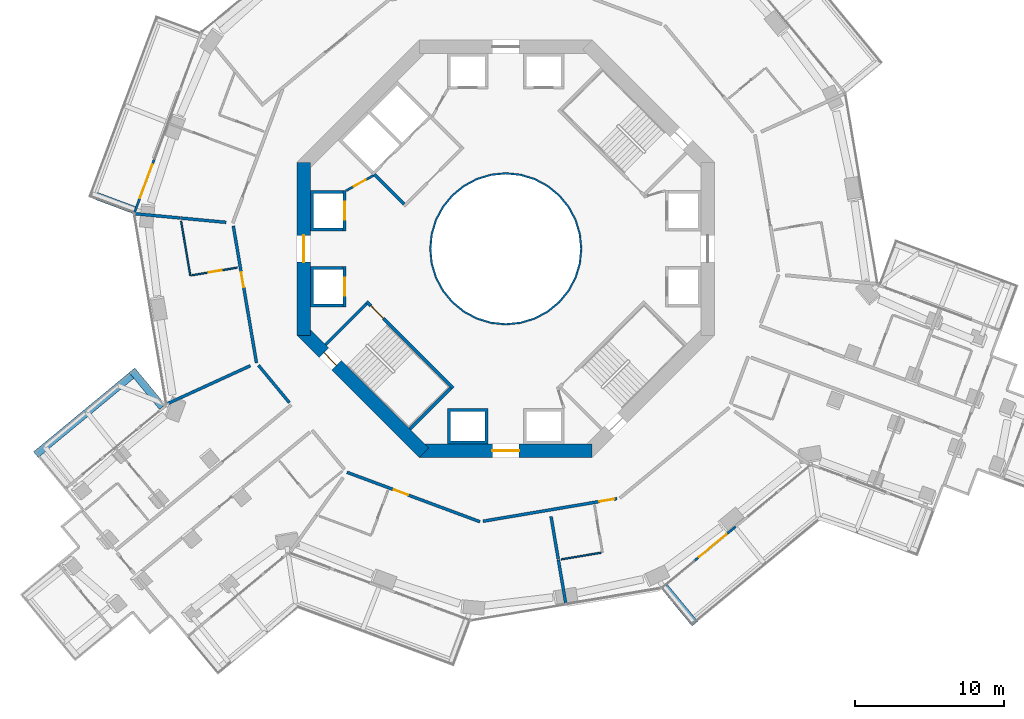
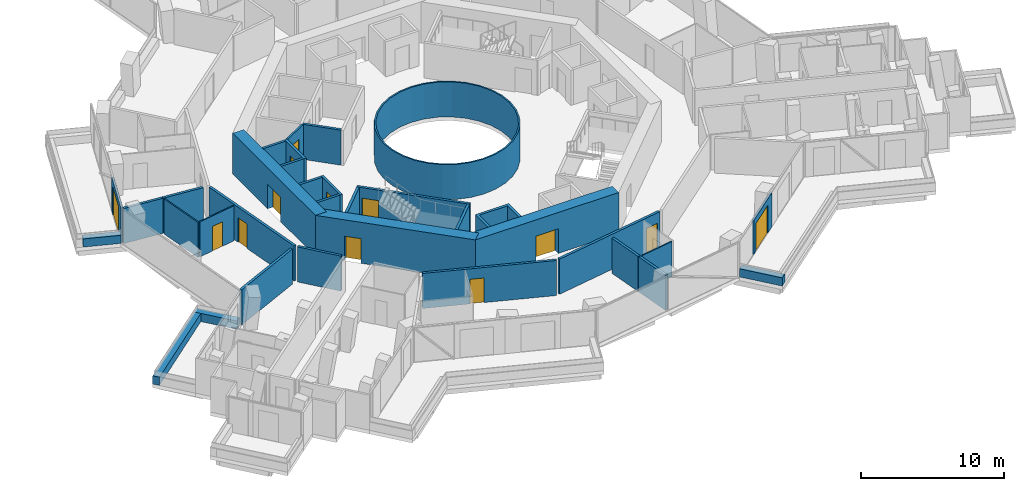
# One storey, part 20 of 27: 32 walls, 13 doors, 13 openings.
"""IFC4 building model written with IfcOpenShell, lengths in metres."""

from ifc_helpers import new_model, si_unit, direction, frame, frame_2d, origin, place, context, subcontext, project, spatial, polyline, rectangle, outline, extrude, material, layer, layer_set, type_object, element, fill, save


model = new_model("IFC4")

# Units and contexts
model_context = context("Model", 3, precision=1e-05, world=origin(), true_north=direction((0.0, 1.0)))
body_context = subcontext(model_context, "Body", "Model", "MODEL_VIEW")
ifc_project = project(units=[si_unit("LENGTHUNIT", "METRE"), si_unit("AREAUNIT", "SQUARE_METRE"), si_unit("VOLUMEUNIT", "CUBIC_METRE"), si_unit("PLANEANGLEUNIT", "RADIAN"), si_unit("MASSUNIT", "GRAM", prefix="KILO")], contexts=[model_context])

# Site, building, storey
site_placement = place(None, origin())
site = spatial("IfcSite", under=ifc_project, at=site_placement, CompositionType="ELEMENT")
building_placement = place(site_placement, origin())
building = spatial("IfcBuilding", under=site, at=building_placement, Name="Verdalira Terraces Hotel", CompositionType="ELEMENT")
storey_placement = place(building_placement, frame((0.0, 0.0, 71.5)))
storey = spatial("IfcBuildingStorey", under=building, at=storey_placement, Name="L16", CompositionType="ELEMENT", Elevation=71.5)

# Walls
ifc_material_1 = material(Name="Fire-resisting glass EI 180", Category="glass")
ifc_layer_1 = layer(ifc_material_1, 0.1201171875)
ifc_layer_set_1 = layer_set([ifc_layer_1], Name="Atrium fire screen 120 mm")
wall_type_1 = type_object("IfcWallType", Name="Atrium fire screen 120 mm", PredefinedType="SOLIDWALL", material=ifc_layer_set_1)
wall_1_placement = place(storey_placement, origin())
element("IfcWall", 1, at=wall_1_placement, inside=storey, type_object=wall_type_1, Name="Atrium fire screen", PredefinedType="SOLIDWALL", context=body_context, shape_type="SweptSolid", body=[
    extrude(outline(polyline([(5.021484, -0.998779), (4.730225, -1.959229), (4.25708, -2.844482), (3.620361, -3.620361), (2.844482, -4.25708), (1.959229, -4.730225), (0.998779, -5.021484), (0.0, -5.120117), (-0.998779, -5.021484), (-1.959229, -4.730225), (-2.844482, -4.25708), (-3.620361, -3.620361), (-4.25708, -2.844482), (-4.730225, -1.959229), (-5.021484, -0.998779), (-5.120117, 0.0), (-5.021484, 0.998779), (-4.730225, 1.959229), (-4.25708, 2.844482), (-3.620361, 3.620361), (-2.844482, 4.25708), (-1.959229, 4.730225), (-0.998779, 5.021484), (0.0, 5.120117), (0.998779, 5.021484), (1.959229, 4.730225), (2.844482, 4.25708), (3.620361, 3.620361), (4.25708, 2.844482), (4.730225, 1.959229), (5.021484, 0.998779), (5.120117, 0.0), (5.021484, -0.998779)]), holes=[polyline([(4.903809, 0.975586), (4.619385, 1.91333), (4.157227, 2.777832), (3.5354, 3.5354), (2.777832, 4.157227), (1.91333, 4.619385), (0.975586, 4.903809), (0.0, 5.0), (-0.975586, 4.903809), (-1.91333, 4.619385), (-2.777832, 4.157227), (-3.5354, 3.5354), (-4.157227, 2.777832), (-4.619385, 1.91333), (-4.903809, 0.975586), (-5.0, 0.0), (-4.903809, -0.975586), (-4.619385, -1.91333), (-4.157227, -2.777832), (-3.5354, -3.5354), (-2.777832, -4.157227), (-1.91333, -4.619385), (-0.975586, -4.903809), (0.0, -5.0), (0.975586, -4.903809), (1.91333, -4.619385), (2.777832, -4.157227), (3.5354, -3.5354), (4.157227, -2.777832), (4.619385, -1.91333), (4.903809, -0.975586), (5.0, 0.0), (4.903809, 0.975586)])]), origin(), (0.0, 0.0, 1.0), 3.0),
])
ifc_material_2 = material(Name="Concrete C40", Category="concrete")
ifc_layer_2 = layer(ifc_material_2, 0.5)
ifc_layer_set_2 = layer_set([ifc_layer_2], Name="Balcony planter trough with tree")
wall_type_2 = type_object("IfcWallType", Name="Balcony planter trough with tree", PredefinedType="SOLIDWALL", material=ifc_layer_set_2)
wall_2_placement = place(storey_placement, frame((-27.446045, 3.538818, 0.0), z_axis=(0.0, 0.0, 1.0), x_axis=(0.937288532, -0.348554455, 0.0)))
element("IfcWall", 2, at=wall_2_placement, inside=storey, type_object=wall_type_2, Name="Balcony planter", PredefinedType="SOLIDWALL", context=body_context, shape_type="SweptSolid", body=[
    extrude(rectangle(XDim=2.69873, YDim=0.5, at=frame_2d((1.349365, 0.0))), origin(), (0.0, 0.0, 1.0), 0.699951),
])
wall_3_placement = place(storey_placement, frame((-23.027832, -10.613037, 0.0), z_axis=(0.0, 0.0, 1.0), x_axis=(-0.637417757, 0.770518399, 0.0)))
element("IfcWall", 3, at=wall_3_placement, inside=storey, type_object=wall_type_2, Name="Balcony planter", PredefinedType="SOLIDWALL", context=body_context, shape_type="SweptSolid", body=[
    extrude(rectangle(XDim=3.198975, YDim=0.5, at=frame_2d((1.599609, 0.0))), origin(), (0.0, 0.0, 1.0), 0.699951),
])
wall_4_placement = place(storey_placement, frame((-25.100342, -8.500244, 0.0), z_axis=(0.0, 0.0, 1.0), x_axis=(-0.770508623, -0.637429574, 0.0)))
element("IfcWall", 4, at=wall_4_placement, inside=storey, type_object=wall_type_2, Name="Balcony planter", PredefinedType="SOLIDWALL", context=body_context, shape_type="SweptSolid", body=[
    extrude(rectangle(XDim=8.31958, YDim=0.5, at=frame_2d((4.159668, 0.0))), origin(), (0.0, 0.0, 1.0), 0.699951),
])
wall_5_placement = place(storey_placement, frame((10.647705, -22.676025, 0.0), z_axis=(0.0, 0.0, 1.0), x_axis=(0.637463064, -0.770480916, 0.0)))
element("IfcWall", 5, at=wall_5_placement, inside=storey, type_object=wall_type_2, Name="Balcony planter", PredefinedType="SOLIDWALL", context=body_context, shape_type="SweptSolid", body=[
    extrude(rectangle(XDim=3.199219, YDim=0.5, at=frame_2d((1.599609, 0.0))), origin(), (0.0, 0.0, 1.0), 0.699951),
])
ifc_material_3 = material(Name="Moisture-resistant gypsum board partition")
ifc_layer_3 = layer(ifc_material_3, 0.10009765625)
ifc_layer_set_3 = layer_set([ifc_layer_3], Name="Bathroom partition 100 mm")
wall_type_3 = type_object("IfcWallType", Name="Bathroom partition 100 mm", PredefinedType="PARTITIONING", material=ifc_layer_set_3)
wall_6_placement = place(storey_placement, frame((-21.155273, -1.794922, 0.0), z_axis=(0.0, 0.0, 1.0), x_axis=(-0.16674987, 0.98599923, 0.0)))
element("IfcWall", 6, at=wall_6_placement, inside=storey, type_object=wall_type_3, Name="Bathroom partition", PredefinedType="PARTITIONING", context=body_context, shape_type="SweptSolid", body=[
    extrude(rectangle(XDim=3.704102, YDim=0.100098, at=frame_2d((1.852051, 0.0))), origin(), (0.0, 0.0, 1.0), 3.0),
])

# Wall, opening, door
wall_7_placement = place(storey_placement, frame((-21.056641, -1.77832, 0.0), z_axis=(0.0, 0.0, 1.0), x_axis=(0.98599085, 0.166799411, 0.0)))
wall_7 = element("IfcWall", 7, at=wall_7_placement, inside=storey, type_object=wall_type_3, Name="Bathroom partition", PredefinedType="PARTITIONING", context=body_context, shape_type="SweptSolid", body=[
    extrude(rectangle(XDim=3.100098, YDim=0.100098, at=frame_2d((1.550049, 0.0))), origin(), (0.0, 0.0, 1.0), 3.0),
])
opening_1_placement = place(wall_7_placement, frame((1.149902, 0.0, 0.0)))
opening_1 = element("IfcOpeningElement", 8, at=opening_1_placement, cuts=wall_7, Name="Opening L16-113", PredefinedType="OPENING", context=body_context, shape_type="SweptSolid", body=[
    extrude(rectangle(XDim=0.899902, YDim=2.100098, at=frame_2d((0.449951, 1.050049))), frame((0.0, 0.060059, 0.0), z_axis=(0.0, -1.0, 0.0), x_axis=(1.0, 0.0, 0.0)), (0.0, 0.0, 1.0), 0.120117),
])
ifc_material_4 = material(Name="Timber door", Category="wood")
door_type_1 = type_object("IfcDoorType", Name="Bathroom door 900 x 2100", OperationType="NOTDEFINED", PredefinedType="DOOR", material=ifc_material_4)
door_1_placement = place(opening_1_placement, origin())
door_1 = element("IfcDoor", 9, at=door_1_placement, inside=storey, type_object=door_type_1, Name="Bathroom door 1605", OperationType="SINGLE_SWING_LEFT", OverallHeight=2.10009765625, OverallWidth=0.89990234375, PredefinedType="DOOR", context=body_context, shape_type="SweptSolid", body=[
    extrude(rectangle(XDim=0.899902, YDim=2.100098, at=frame_2d((0.449951, 1.050049))), frame((0.0, 0.024902, 0.0), z_axis=(0.0, -1.0, 0.0), x_axis=(1.0, 0.0, 0.0)), (0.0, 0.0, 1.0), 0.050049),
])
fill(opening_1, door_1)

# Walls
wall_8_placement = place(storey_placement, frame((6.387939, -20.378418, 0.0), z_axis=(0.0, 0.0, 1.0), x_axis=(-0.986002618, -0.166729833, 0.0)))
element("IfcWall", 10, at=wall_8_placement, inside=storey, type_object=wall_type_3, Name="Bathroom partition", PredefinedType="PARTITIONING", context=body_context, shape_type="SweptSolid", body=[
    extrude(rectangle(XDim=2.700195, YDim=0.100098, at=frame_2d((1.350098, 0.0))), origin(), (0.0, 0.0, 1.0), 3.0),
])
ifc_material_5 = material(Name="Concrete C50", Category="concrete")
ifc_layer_4 = layer(ifc_material_5, 0.199951171875)
ifc_layer_set_4 = layer_set([ifc_layer_4], Name="Core RC wall 200 C50")
wall_type_4 = type_object("IfcWallType", Name="Core RC wall 200 C50", PredefinedType="SOLIDWALL", material=ifc_layer_set_4)
wall_9_placement = place(storey_placement, origin())
element("IfcWall", 11, at=wall_9_placement, inside=storey, type_object=wall_type_4, Name="L16 shaft wall W1", PredefinedType="SOLIDWALL", context=body_context, shape_type="SweptSolid", body=[
    extrude(outline(polyline([(-13.100098, 3.899902), (-10.899902, 3.899902), (-10.899902, 3.699951), (-12.899902, 3.699951), (-12.899902, 1.399902), (-10.899902, 1.399902), (-10.899902, 1.199951), (-13.100098, 1.199951), (-13.100098, 3.899902)])), origin(), (0.0, 0.0, 1.0), 3.0),
])

# Wall, opening, door
wall_10_placement = place(storey_placement, frame((-10.800049, 1.199951, 0.0), z_axis=(0.0, 0.0, 1.0), x_axis=(0.0, 1.0, 0.0)))
wall_10 = element("IfcWall", 12, at=wall_10_placement, inside=storey, type_object=wall_type_4, Name="L16 shaft front wall W1", PredefinedType="SOLIDWALL", context=body_context, shape_type="SweptSolid", body=[
    extrude(rectangle(XDim=2.699951, YDim=0.199951, at=frame_2d((1.350098, 0.0))), origin(), (0.0, 0.0, 1.0), 3.0),
])
opening_2_placement = place(wall_10_placement, frame((0.75, 0.0, 0.0)))
opening_2 = element("IfcOpeningElement", 13, at=opening_2_placement, cuts=wall_10, Name="Opening LD-L16-805", PredefinedType="OPENING", context=body_context, shape_type="SweptSolid", body=[
    extrude(rectangle(XDim=1.199951, YDim=2.100098, at=frame_2d((0.600098, 1.050049))), frame((0.0, 0.109863, 0.0), z_axis=(0.0, -1.0, 0.0), x_axis=(1.0, 0.0, 0.0)), (0.0, 0.0, 1.0), 0.219971),
])
ifc_material_6 = material(Name="Stainless steel", Category="steel")
door_type_2 = type_object("IfcDoorType", Name="Landing door 1200 x 2100", OperationType="NOTDEFINED", PredefinedType="DOOR", material=ifc_material_6)
door_2_placement = place(opening_2_placement, origin())
door_2 = element("IfcDoor", 14, at=door_2_placement, inside=storey, type_object=door_type_2, Name="Lift landing door LR5 L16", OperationType="DOUBLE_DOOR_SLIDING", OverallHeight=2.10009765625, OverallWidth=1.199951171875, PredefinedType="DOOR", context=body_context, shape_type="SweptSolid", body=[
    extrude(rectangle(XDim=1.199951, YDim=2.100098, at=frame_2d((0.600098, 1.050049))), frame((0.0, 0.024902, 0.0), z_axis=(0.0, -1.0, 0.0), x_axis=(1.0, 0.0, 0.0)), (0.0, 0.0, 1.0), 0.050049),
])
fill(opening_2, door_2)

# Wall
wall_11_placement = place(storey_placement, origin())
element("IfcWall", 15, at=wall_11_placement, inside=storey, type_object=wall_type_4, Name="L16 shaft wall W2", PredefinedType="SOLIDWALL", context=body_context, shape_type="SweptSolid", body=[
    extrude(outline(polyline([(-13.100098, -3.899902), (-13.100098, -1.199951), (-10.899902, -1.199951), (-10.899902, -1.399902), (-12.899902, -1.399902), (-12.899902, -3.699951), (-10.899902, -3.699951), (-10.899902, -3.899902), (-13.100098, -3.899902)])), origin(), (0.0, 0.0, 1.0), 3.0),
])

# Wall, opening, door
wall_12_placement = place(storey_placement, frame((-10.800049, -1.199951, 0.0), z_axis=(0.0, 0.0, 1.0), x_axis=(0.0, -1.0, 0.0)))
wall_12 = element("IfcWall", 16, at=wall_12_placement, inside=storey, type_object=wall_type_4, Name="L16 shaft front wall W2", PredefinedType="SOLIDWALL", context=body_context, shape_type="SweptSolid", body=[
    extrude(rectangle(XDim=2.699951, YDim=0.199951, at=frame_2d((1.350098, 0.0))), origin(), (0.0, 0.0, 1.0), 3.0),
])
opening_3_placement = place(wall_12_placement, frame((0.75, 0.0, 0.0)))
opening_3 = element("IfcOpeningElement", 17, at=opening_3_placement, cuts=wall_12, Name="Opening LD-L16-806", PredefinedType="OPENING", context=body_context, shape_type="SweptSolid", body=[
    extrude(rectangle(XDim=1.199951, YDim=2.100098, at=frame_2d((0.600098, 1.050049))), frame((0.0, 0.109863, 0.0), z_axis=(0.0, -1.0, 0.0), x_axis=(1.0, 0.0, 0.0)), (0.0, 0.0, 1.0), 0.219971),
])
door_3_placement = place(opening_3_placement, origin())
door_3 = element("IfcDoor", 18, at=door_3_placement, inside=storey, type_object=door_type_2, Name="Lift landing door LR6 L16", OperationType="DOUBLE_DOOR_SLIDING", OverallHeight=2.10009765625, OverallWidth=1.199951171875, PredefinedType="DOOR", context=body_context, shape_type="SweptSolid", body=[
    extrude(rectangle(XDim=1.199951, YDim=2.100098, at=frame_2d((0.600098, 1.050049))), frame((0.0, 0.024902, 0.0), z_axis=(0.0, -1.0, 0.0), x_axis=(1.0, 0.0, 0.0)), (0.0, 0.0, 1.0), 0.050049),
])
fill(opening_3, door_3)

# Wall
wall_13_placement = place(storey_placement, origin())
element("IfcWall", 19, at=wall_13_placement, inside=storey, type_object=wall_type_4, Name="L16 shaft wall S1", PredefinedType="SOLIDWALL", context=body_context, shape_type="SweptSolid", body=[
    extrude(outline(polyline([(-1.199951, -13.100098), (-3.899902, -13.100098), (-3.899902, -10.699951), (-1.199951, -10.699951), (-1.199951, -13.100098)]), holes=[polyline([(-3.699951, -10.899902), (-3.699951, -12.899902), (-1.399902, -12.899902), (-1.399902, -10.899902), (-3.699951, -10.899902)])]), origin(), (0.0, 0.0, 1.0), 3.0),
])

# Wall, opening, door
wall_14_placement = place(storey_placement, frame((-3.5354, -9.33374, 0.0), z_axis=(0.0, 0.0, 1.0), x_axis=(-0.707106781, 0.707106781, 0.0)))
wall_14 = element("IfcWall", 20, at=wall_14_placement, inside=storey, type_object=wall_type_4, Name="L16 stair ST2 front wall", PredefinedType="SOLIDWALL", context=body_context, shape_type="SweptSolid", body=[
    extrude(rectangle(XDim=8.200195, YDim=0.199951, at=frame_2d((4.100098, 0.0))), origin(), (0.0, 0.0, 1.0), 3.0),
])
opening_4_placement = place(wall_14_placement, frame((6.600098, 0.0, 0.0)))
opening_4 = element("IfcOpeningElement", 21, at=opening_4_placement, cuts=wall_14, Name="Opening L16-810", PredefinedType="OPENING", context=body_context, shape_type="SweptSolid", body=[
    extrude(rectangle(XDim=1.199951, YDim=2.100098, at=frame_2d((0.600098, 1.050049))), frame((0.0, 0.109863, 0.0), z_axis=(0.0, -1.0, 0.0), x_axis=(1.0, 0.0, 0.0)), (0.0, 0.0, 1.0), 0.219971),
])
ifc_material_7 = material(Name="Steel fire door", Category="steel")
door_type_3 = type_object("IfcDoorType", Name="Stair door 1200 x 2100", OperationType="NOTDEFINED", PredefinedType="DOOR", material=ifc_material_7)
door_4_placement = place(opening_4_placement, origin())
door_4 = element("IfcDoor", 22, at=door_4_placement, inside=storey, type_object=door_type_3, Name="Stair door ST2 L16", OperationType="SINGLE_SWING_RIGHT", OverallHeight=2.10009765625, OverallWidth=1.199951171875, PredefinedType="DOOR", context=body_context, shape_type="SweptSolid", body=[
    extrude(rectangle(XDim=1.199951, YDim=2.100098, at=frame_2d((0.600098, 1.050049))), frame((0.0, 0.024902, 0.0), z_axis=(0.0, -1.0, 0.0), x_axis=(1.0, 0.0, 0.0)), (0.0, 0.0, 1.0), 0.050049),
])
fill(opening_4, door_4)

# Walls
for number, where, z_axis, x_axis, name in (
    (23, (-9.33374, -3.677002, 0.0), (0.0, 0.0, 1.0), (-0.707106781, -0.707106781, 0.0), "L16 stair ST2 end wall 1"),
    (24, (-3.677002, -9.33374, 0.0), (0.0, 0.0, 1.0), (-0.707106781, -0.707106781, 0.0), "L16 stair ST2 end wall 2"),
):
    element("IfcWall", number, at=place(storey_placement, frame(where, z_axis=z_axis, x_axis=x_axis)), inside=storey, type_object=wall_type_4, Name=name, PredefinedType="SOLIDWALL", context=body_context, shape_type="SweptSolid", body=[
        extrude(rectangle(XDim=3.900146, YDim=0.199951, at=frame_2d((1.950195, 0.0))), origin(), (0.0, 0.0, 1.0), 3.0),
    ])
wall_15_placement = place(storey_placement, frame((-6.823486, 3.005127, 0.0), z_axis=(0.0, 0.0, 1.0), x_axis=(-0.707106781, 0.707106781, 0.0)))
element("IfcWall", 25, at=wall_15_placement, inside=storey, type_object=wall_type_4, Name="L16 fire lobby wall", PredefinedType="SOLIDWALL", context=body_context, shape_type="SweptSolid", body=[
    extrude(rectangle(XDim=2.800049, YDim=0.199951, at=frame_2d((1.399902, 0.0))), origin(), (0.0, 0.0, 1.0), 3.0),
])

# Wall, opening, door
ifc_material_8 = material(Name="Gypsum board partition")
ifc_layer_5 = layer(ifc_material_8, 0.14990234375)
ifc_layer_set_5 = layer_set([ifc_layer_5], Name="Core partition 150 mm")
wall_type_5 = type_object("IfcWallType", Name="Core partition 150 mm", PredefinedType="PARTITIONING", material=ifc_layer_set_5)
wall_16_placement = place(storey_placement, frame((-8.874268, 4.914307, 0.0), z_axis=(0.0, 0.0, 1.0), x_axis=(-0.874129705, -0.485692555, 0.0)))
wall_16 = element("IfcWall", 26, at=wall_16_placement, inside=storey, type_object=wall_type_5, Name="Room partition L16", PredefinedType="PARTITIONING", context=body_context, shape_type="SweptSolid", body=[
    extrude(rectangle(XDim=2.088623, YDim=0.149902, at=frame_2d((1.044434, 0.0))), origin(), (0.0, 0.0, 1.0), 3.0),
])
opening_5_placement = place(wall_16_placement, frame((0.594238, 0.0, 0.0)))
opening_5 = element("IfcOpeningElement", 27, at=opening_5_placement, cuts=wall_16, Name="Opening L16-822", PredefinedType="OPENING", context=body_context, shape_type="SweptSolid", body=[
    extrude(rectangle(XDim=0.899902, YDim=2.100098, at=frame_2d((0.449951, 1.050049))), frame((0.0, 0.084961, 0.0), z_axis=(0.0, -1.0, 0.0), x_axis=(1.0, 0.0, 0.0)), (0.0, 0.0, 1.0), 0.169922),
])
ifc_material_9 = material(Name="Steel fire door", Category="steel")
door_type_4 = type_object("IfcDoorType", Name="Core room door 900 x 2100", OperationType="NOTDEFINED", PredefinedType="DOOR", material=ifc_material_9)
door_5_placement = place(opening_5_placement, origin())
door_5 = element("IfcDoor", 28, at=door_5_placement, inside=storey, type_object=door_type_4, Name="Door L16 room3", OperationType="SINGLE_SWING_LEFT", OverallHeight=2.10009765625, OverallWidth=0.89990234375, PredefinedType="DOOR", context=body_context, shape_type="SweptSolid", body=[
    extrude(rectangle(XDim=0.899902, YDim=2.100098, at=frame_2d((0.449951, 1.050049))), frame((0.0, 0.024902, 0.0), z_axis=(0.0, -1.0, 0.0), x_axis=(1.0, 0.0, 0.0)), (0.0, 0.0, 1.0), 0.050049),
])
fill(opening_5, door_5)

ifc_material_10 = material(Name="Concrete C70", Category="concrete")
ifc_layer_6 = layer(ifc_material_10, 0.89990234375)
ifc_layer_set_6 = layer_set([ifc_layer_6], Name="Core wall 900 C70")
wall_type_6 = type_object("IfcWallType", Name="Core wall 900 C70", PredefinedType="SHEAR", material=ifc_layer_set_6)
wall_17_placement = place(storey_placement, frame((-13.550049, 5.799072, 0.0), z_axis=(0.0, 0.0, 1.0), x_axis=(0.0, -1.0, 0.0)))
wall_17 = element("IfcWall", 29, at=wall_17_placement, inside=storey, type_object=wall_type_6, Name="Core wall CW-L16-5", PredefinedType="SHEAR", context=body_context, shape_type="SweptSolid", body=[
    extrude(rectangle(XDim=11.598145, YDim=0.899902, at=frame_2d((5.799072, 0.0))), origin(), (0.0, 0.0, 1.0), 3.5),
])
opening_6_placement = place(wall_17_placement, frame((4.898926, 0.0, 0.0)))
opening_6 = element("IfcOpeningElement", 30, at=opening_6_placement, cuts=wall_17, Name="Opening L16-814", PredefinedType="OPENING", context=body_context, shape_type="SweptSolid", body=[
    extrude(rectangle(XDim=1.800049, YDim=2.100098, at=frame_2d((0.899902, 1.050049))), frame((0.0, 0.459961, 0.0), z_axis=(0.0, -1.0, 0.0), x_axis=(1.0, 0.0, 0.0)), (0.0, 0.0, 1.0), 0.919922),
])
ifc_material_11 = material(Name="Steel fire door", Category="steel")
door_type_5 = type_object("IfcDoorType", Name="Core entry door pair 1800 x 2100", OperationType="NOTDEFINED", PredefinedType="DOOR", material=ifc_material_11)
door_6_placement = place(opening_6_placement, origin())
door_6 = element("IfcDoor", 31, at=door_6_placement, inside=storey, type_object=door_type_5, Name="Core entry door L16 4", OperationType="DOUBLE_DOOR_SINGLE_SWING", OverallHeight=2.10009765625, OverallWidth=1.800048828125, PredefinedType="DOOR", context=body_context, shape_type="SweptSolid", body=[
    extrude(rectangle(XDim=1.800049, YDim=2.100098, at=frame_2d((0.899902, 1.050049))), frame((0.0, 0.024902, 0.0), z_axis=(0.0, -1.0, 0.0), x_axis=(1.0, 0.0, 0.0)), (0.0, 0.0, 1.0), 0.050049),
])
fill(opening_6, door_6)

wall_18_placement = place(storey_placement, frame((-13.681885, -5.480713, 0.0), z_axis=(0.0, 0.0, 1.0), x_axis=(0.707106781, -0.707106781, 0.0)))
wall_18 = element("IfcWall", 32, at=wall_18_placement, inside=storey, type_object=wall_type_6, Name="Core wall CW-L16-6", PredefinedType="SHEAR", context=body_context, shape_type="SweptSolid", body=[
    extrude(rectangle(XDim=11.598145, YDim=0.899902, at=frame_2d((5.799072, 0.0))), origin(), (0.0, 0.0, 1.0), 3.5),
])
opening_7_placement = place(wall_18_placement, frame((2.099121, 0.0, 0.0)))
opening_7 = element("IfcOpeningElement", 33, at=opening_7_placement, cuts=wall_18, Name="Opening L16-817", PredefinedType="OPENING", context=body_context, shape_type="SweptSolid", body=[
    extrude(rectangle(XDim=1.199951, YDim=2.100098, at=frame_2d((0.600098, 1.050049))), frame((0.0, 0.459961, 0.0), z_axis=(0.0, -1.0, 0.0), x_axis=(1.0, 0.0, 0.0)), (0.0, 0.0, 1.0), 0.919922),
])
door_7_placement = place(opening_7_placement, origin())
door_7 = element("IfcDoor", 34, at=door_7_placement, inside=storey, type_object=door_type_3, Name="Stair exit door ST2 L16", OperationType="SINGLE_SWING_LEFT", OverallHeight=2.10009765625, OverallWidth=1.199951171875, PredefinedType="DOOR", context=body_context, shape_type="SweptSolid", body=[
    extrude(rectangle(XDim=1.199951, YDim=2.100098, at=frame_2d((0.600098, 1.050049))), frame((0.0, 0.024902, 0.0), z_axis=(0.0, -1.0, 0.0), x_axis=(1.0, 0.0, 0.0)), (0.0, 0.0, 1.0), 0.050049),
])
fill(opening_7, door_7)

wall_19_placement = place(storey_placement, frame((-5.799072, -13.550049, 0.0), z_axis=(0.0, 0.0, 1.0), x_axis=(1.0, 0.0, 0.0)))
wall_19 = element("IfcWall", 35, at=wall_19_placement, inside=storey, type_object=wall_type_6, Name="Core wall CW-L16-7", PredefinedType="SHEAR", context=body_context, shape_type="SweptSolid", body=[
    extrude(rectangle(XDim=11.598145, YDim=0.899902, at=frame_2d((5.799072, 0.0))), origin(), (0.0, 0.0, 1.0), 3.5),
])
opening_8_placement = place(wall_19_placement, frame((4.898926, 0.0, 0.0)))
opening_8 = element("IfcOpeningElement", 36, at=opening_8_placement, cuts=wall_19, Name="Opening L16-815", PredefinedType="OPENING", context=body_context, shape_type="SweptSolid", body=[
    extrude(rectangle(XDim=1.800049, YDim=2.100098, at=frame_2d((0.899902, 1.050049))), frame((0.0, 0.459961, 0.0), z_axis=(0.0, -1.0, 0.0), x_axis=(1.0, 0.0, 0.0)), (0.0, 0.0, 1.0), 0.919922),
])
door_8_placement = place(opening_8_placement, origin())
door_8 = element("IfcDoor", 37, at=door_8_placement, inside=storey, type_object=door_type_5, Name="Core entry door L16 6", OperationType="DOUBLE_DOOR_SINGLE_SWING", OverallHeight=2.10009765625, OverallWidth=1.800048828125, PredefinedType="DOOR", context=body_context, shape_type="SweptSolid", body=[
    extrude(rectangle(XDim=1.800049, YDim=2.100098, at=frame_2d((0.899902, 1.050049))), frame((0.0, 0.024902, 0.0), z_axis=(0.0, -1.0, 0.0), x_axis=(1.0, 0.0, 0.0)), (0.0, 0.0, 1.0), 0.050049),
])
fill(opening_8, door_8)

# Walls
ifc_material_12 = material(Name="Fire-rated gypsum board wall")
ifc_layer_7 = layer(ifc_material_12, 0.199951171875)
ifc_layer_set_7 = layer_set([ifc_layer_7], Name="Demising wall 200 mm")
wall_type_7 = type_object("IfcWallType", Name="Demising wall 200 mm", PredefinedType="SOLIDWALL", material=ifc_layer_set_7)
wall_20_placement = place(storey_placement, frame((-21.855225, 2.065918, 0.0), z_axis=(0.0, 0.0, 1.0), x_axis=(-0.995560459, 0.094124242, 0.0)))
element("IfcWall", 38, at=wall_20_placement, inside=storey, type_object=wall_type_7, Name="Demising wall", PredefinedType="SOLIDWALL", context=body_context, shape_type="SweptSolid", body=[
    extrude(rectangle(XDim=3.011475, YDim=0.199951, at=frame_2d((1.505859, 0.0))), origin(), (0.0, 0.0, 1.0), 3.0),
])
wall_21_placement = place(storey_placement, frame((-18.748291, 1.772217, 0.0), z_axis=(0.0, 0.0, 1.0), x_axis=(-0.995564081, 0.094085927, 0.0)))
element("IfcWall", 39, at=wall_21_placement, inside=storey, type_object=wall_type_7, Name="Demising wall", PredefinedType="SOLIDWALL", context=body_context, shape_type="SweptSolid", body=[
    extrude(rectangle(XDim=3.074951, YDim=0.199951, at=frame_2d((1.537598, 0.0))), origin(), (0.0, 0.0, 1.0), 3.0),
])
wall_22_placement = place(storey_placement, frame((-17.122803, -7.839355, 0.0), z_axis=(0.0, 0.0, 1.0), x_axis=(-0.909230005, -0.416294125, 0.0)))
element("IfcWall", 40, at=wall_22_placement, inside=storey, type_object=wall_type_7, Name="Demising wall", PredefinedType="SOLIDWALL", context=body_context, shape_type="SweptSolid", body=[
    extrude(rectangle(XDim=6.13208, YDim=0.199951, at=frame_2d((3.065918, 0.0))), origin(), (0.0, 0.0, 1.0), 3.0),
])
wall_23_placement = place(storey_placement, frame((3.036133, -17.950684, 0.0), z_axis=(0.0, 0.0, 1.0), x_axis=(0.166756479, -0.985998112, 0.0)))
element("IfcWall", 41, at=wall_23_placement, inside=storey, type_object=wall_type_7, Name="Demising wall", PredefinedType="SOLIDWALL", context=body_context, shape_type="SweptSolid", body=[
    extrude(rectangle(XDim=2.904785, YDim=0.199951, at=frame_2d((1.452393, 0.0))), origin(), (0.0, 0.0, 1.0), 3.0),
])
wall_24_placement = place(storey_placement, frame((3.52832, -20.860107, 0.0), z_axis=(0.0, 0.0, 1.0), x_axis=(0.166732133, -0.986002229, 0.0)))
element("IfcWall", 42, at=wall_24_placement, inside=storey, type_object=wall_type_7, Name="Demising wall", PredefinedType="SOLIDWALL", context=body_context, shape_type="SweptSolid", body=[
    extrude(rectangle(XDim=2.951904, YDim=0.199951, at=frame_2d((1.476074, 0.0))), origin(), (0.0, 0.0, 1.0), 3.0),
])

# Wall, opening, door
ifc_material_13 = material(Name="Fire-rated gypsum board wall")
ifc_layer_8 = layer(ifc_material_13, 0.199951171875)
ifc_layer_set_8 = layer_set([ifc_layer_8], Name="Guest corridor wall 200 mm")
wall_type_8 = type_object("IfcWallType", Name="Guest corridor wall 200 mm", PredefinedType="SOLIDWALL", material=ifc_layer_set_8)
wall_25_placement = place(storey_placement, frame((-16.716064, -7.65332, 0.0), z_axis=(0.0, 0.0, 1.0), x_axis=(-0.166765417, 0.9859966, 0.0)))
wall_25 = element("IfcWall", 43, at=wall_25_placement, inside=storey, type_object=wall_type_8, Name="Guest corridor wall", PredefinedType="SOLIDWALL", context=body_context, shape_type="SweptSolid", body=[
    extrude(rectangle(XDim=9.31665, YDim=0.199951, at=frame_2d((4.658203, 0.0))), origin(), (0.0, 0.0, 1.0), 3.0),
])
opening_9_placement = place(wall_25_placement, frame((5.149902, 0.0, 0.0)))
opening_9 = element("IfcOpeningElement", 44, at=opening_9_placement, cuts=wall_25, Name="Opening L16-112", PredefinedType="OPENING", context=body_context, shape_type="SweptSolid", body=[
    extrude(rectangle(XDim=1.0, YDim=2.100098, at=frame_2d((0.5, 1.050049))), frame((0.0, 0.109863, 0.0), z_axis=(0.0, -1.0, 0.0), x_axis=(1.0, 0.0, 0.0)), (0.0, 0.0, 1.0), 0.219971),
])
ifc_material_14 = material(Name="Timber fire door", Category="wood")
door_type_6 = type_object("IfcDoorType", Name="Guest entry door 1000 x 2100", OperationType="NOTDEFINED", PredefinedType="DOOR", material=ifc_material_14)
door_9_placement = place(opening_9_placement, origin())
door_9 = element("IfcDoor", 45, at=door_9_placement, inside=storey, type_object=door_type_6, Name="Guest entry door 1605", OperationType="SINGLE_SWING_LEFT", OverallHeight=2.10009765625, OverallWidth=1.0, PredefinedType="DOOR", context=body_context, shape_type="SweptSolid", body=[
    extrude(rectangle(XDim=1.0, YDim=2.100098, at=frame_2d((0.5, 1.050049))), frame((0.0, 0.024902, 0.0), z_axis=(0.0, -1.0, 0.0), x_axis=(1.0, 0.0, 0.0)), (0.0, 0.0, 1.0), 0.050049),
])
fill(opening_9, door_9)

# Wall
wall_26_placement = place(storey_placement, frame((-16.588623, -7.807373, 0.0), z_axis=(0.0, 0.0, 1.0), x_axis=(0.637431222, -0.77050726, 0.0)))
element("IfcWall", 46, at=wall_26_placement, inside=storey, type_object=wall_type_8, Name="Guest corridor wall", PredefinedType="SOLIDWALL", context=body_context, shape_type="SweptSolid", body=[
    extrude(rectangle(XDim=3.258301, YDim=0.199951, at=frame_2d((1.62915, 0.0))), origin(), (0.0, 0.0, 1.0), 3.0),
])

# Wall, opening, door
wall_27_placement = place(storey_placement, frame((-1.730713, -18.302979, 0.0), z_axis=(0.0, 0.0, 1.0), x_axis=(-0.937286188, 0.348560757, 0.0)))
wall_27 = element("IfcWall", 47, at=wall_27_placement, inside=storey, type_object=wall_type_8, Name="Guest corridor wall", PredefinedType="SOLIDWALL", context=body_context, shape_type="SweptSolid", body=[
    extrude(rectangle(XDim=9.515869, YDim=0.199951, at=frame_2d((4.757812, 0.0))), origin(), (0.0, 0.0, 1.0), 3.0),
])
opening_10_placement = place(wall_27_placement, frame((5.149902, 0.0, 0.0)))
opening_10 = element("IfcOpeningElement", 48, at=opening_10_placement, cuts=wall_27, Name="Opening L16-120", PredefinedType="OPENING", context=body_context, shape_type="SweptSolid", body=[
    extrude(rectangle(XDim=1.0, YDim=2.100098, at=frame_2d((0.5, 1.050049))), frame((0.0, 0.109863, 0.0), z_axis=(0.0, -1.0, 0.0), x_axis=(1.0, 0.0, 0.0)), (0.0, 0.0, 1.0), 0.219971),
])
door_10_placement = place(opening_10_placement, origin())
door_10 = element("IfcDoor", 49, at=door_10_placement, inside=storey, type_object=door_type_6, Name="Guest entry door 1609", OperationType="SINGLE_SWING_LEFT", OverallHeight=2.10009765625, OverallWidth=1.0, PredefinedType="DOOR", context=body_context, shape_type="SweptSolid", body=[
    extrude(rectangle(XDim=1.0, YDim=2.100098, at=frame_2d((0.5, 1.050049))), frame((0.0, 0.024902, 0.0), z_axis=(0.0, -1.0, 0.0), x_axis=(1.0, 0.0, 0.0)), (0.0, 0.0, 1.0), 0.050049),
])
fill(opening_10, door_10)

wall_28_placement = place(storey_placement, frame((7.455566, -16.749512, 0.0), z_axis=(0.0, 0.0, 1.0), x_axis=(-0.985995117, -0.166774184, 0.0)))
wall_28 = element("IfcWall", 50, at=wall_28_placement, inside=storey, type_object=wall_type_8, Name="Guest corridor wall", PredefinedType="SOLIDWALL", context=body_context, shape_type="SweptSolid", body=[
    extrude(rectangle(XDim=9.115723, YDim=0.199951, at=frame_2d((4.557861, 0.0))), origin(), (0.0, 0.0, 1.0), 3.0),
])
opening_11_placement = place(wall_28_placement, frame((0.199951, 0.0, 0.0)))
opening_11 = element("IfcOpeningElement", 51, at=opening_11_placement, cuts=wall_28, Name="Opening L16-122", PredefinedType="OPENING", context=body_context, shape_type="SweptSolid", body=[
    extrude(rectangle(XDim=1.0, YDim=2.100098, at=frame_2d((0.5, 1.050049))), frame((0.0, 0.109863, 0.0), z_axis=(0.0, -1.0, 0.0), x_axis=(1.0, 0.0, 0.0)), (0.0, 0.0, 1.0), 0.219971),
])
door_11_placement = place(opening_11_placement, origin())
door_11 = element("IfcDoor", 52, at=door_11_placement, inside=storey, type_object=door_type_6, Name="Guest entry door 1610", OperationType="SINGLE_SWING_LEFT", OverallHeight=2.10009765625, OverallWidth=1.0, PredefinedType="DOOR", context=body_context, shape_type="SweptSolid", body=[
    extrude(rectangle(XDim=1.0, YDim=2.100098, at=frame_2d((0.5, 1.050049))), frame((0.0, 0.024902, 0.0), z_axis=(0.0, -1.0, 0.0), x_axis=(1.0, 0.0, 0.0)), (0.0, 0.0, 1.0), 0.050049),
])
fill(opening_11, door_11)

ifc_material_15 = material(Name="Terracotta cladding", Category="masonry")
ifc_layer_9 = layer(ifc_material_15, 0.14990234375)
ifc_layer_set_9 = layer_set([ifc_layer_9], Name="Terracotta door pier 150")
wall_type_9 = type_object("IfcWallType", Name="Terracotta door pier 150", PredefinedType="SOLIDWALL", material=ifc_layer_set_9)
wall_29_placement = place(storey_placement, frame((-23.55835, 6.031982, 0.0), z_axis=(0.0, 0.0, 1.0), x_axis=(-0.348566245, -0.937284147, 0.0)))
wall_29 = element("IfcWall", 53, at=wall_29_placement, inside=storey, type_object=wall_type_9, Name="Terracotta door pier", PredefinedType="SOLIDWALL", context=body_context, shape_type="SweptSolid", body=[
    extrude(rectangle(XDim=3.841797, YDim=0.149902, at=frame_2d((1.920898, 0.0))), origin(), (0.0, 0.0, 1.0), 2.935059),
])
opening_12_placement = place(wall_29_placement, frame((0.399902, 0.0, 0.0)))
opening_12 = element("IfcOpeningElement", 54, at=opening_12_placement, cuts=wall_29, Name="Opening L16-B02", PredefinedType="OPENING", context=body_context, shape_type="SweptSolid", body=[
    extrude(rectangle(XDim=2.399902, YDim=2.399902, at=frame_2d((1.199951, 1.199951))), frame((0.0, 0.084961, 0.0), z_axis=(0.0, -1.0, 0.0), x_axis=(1.0, 0.0, 0.0)), (0.0, 0.0, 1.0), 0.169922),
])
ifc_material_16 = material(Name="Clear glass", Category="glass")
door_type_7 = type_object("IfcDoorType", Name="Balcony sliding door 2400x2400", OperationType="NOTDEFINED", PredefinedType="DOOR", material=ifc_material_16)
door_12_placement = place(opening_12_placement, origin())
door_12 = element("IfcDoor", 55, at=door_12_placement, inside=storey, type_object=door_type_7, Name="Balcony sliding door", OperationType="SLIDING_TO_RIGHT", OverallHeight=2.39990234375, OverallWidth=2.39990234375, PredefinedType="DOOR", context=body_context, shape_type="SweptSolid", body=[
    extrude(rectangle(XDim=2.399902, YDim=2.399902, at=frame_2d((1.199951, 1.199951))), frame((0.0, 0.024902, 0.0), z_axis=(0.0, -1.0, 0.0), x_axis=(1.0, 0.0, 0.0)), (0.0, 0.0, 1.0), 0.050049),
])
fill(opening_12, door_12)

wall_30_placement = place(storey_placement, frame((12.641113, -20.928223, 0.0), z_axis=(0.0, 0.0, 1.0), x_axis=(0.770528692, 0.637405314, 0.0)))
wall_30 = element("IfcWall", 56, at=wall_30_placement, inside=storey, type_object=wall_type_9, Name="Terracotta door pier", PredefinedType="SOLIDWALL", context=body_context, shape_type="SweptSolid", body=[
    extrude(rectangle(XDim=3.600098, YDim=0.149902, at=frame_2d((1.800049, 0.0))), origin(), (0.0, 0.0, 1.0), 2.935059),
])
opening_13_placement = place(wall_30_placement, frame((0.399902, 0.0, 0.0)))
opening_13 = element("IfcOpeningElement", 57, at=opening_13_placement, cuts=wall_30, Name="Opening L16-B09", PredefinedType="OPENING", context=body_context, shape_type="SweptSolid", body=[
    extrude(rectangle(XDim=2.399902, YDim=2.399902, at=frame_2d((1.199951, 1.199951))), frame((0.0, 0.084961, 0.0), z_axis=(0.0, -1.0, 0.0), x_axis=(1.0, 0.0, 0.0)), (0.0, 0.0, 1.0), 0.169922),
])
door_13_placement = place(opening_13_placement, origin())
door_13 = element("IfcDoor", 58, at=door_13_placement, inside=storey, type_object=door_type_7, Name="Balcony sliding door", OperationType="SLIDING_TO_RIGHT", OverallHeight=2.39990234375, OverallWidth=2.39990234375, PredefinedType="DOOR", context=body_context, shape_type="SweptSolid", body=[
    extrude(rectangle(XDim=2.399902, YDim=2.399902, at=frame_2d((1.199951, 1.199951))), frame((0.0, 0.024902, 0.0), z_axis=(0.0, -1.0, 0.0), x_axis=(1.0, 0.0, 0.0)), (0.0, 0.0, 1.0), 0.050049),
])
fill(opening_13, door_13)

save(model, "model.ifc")
